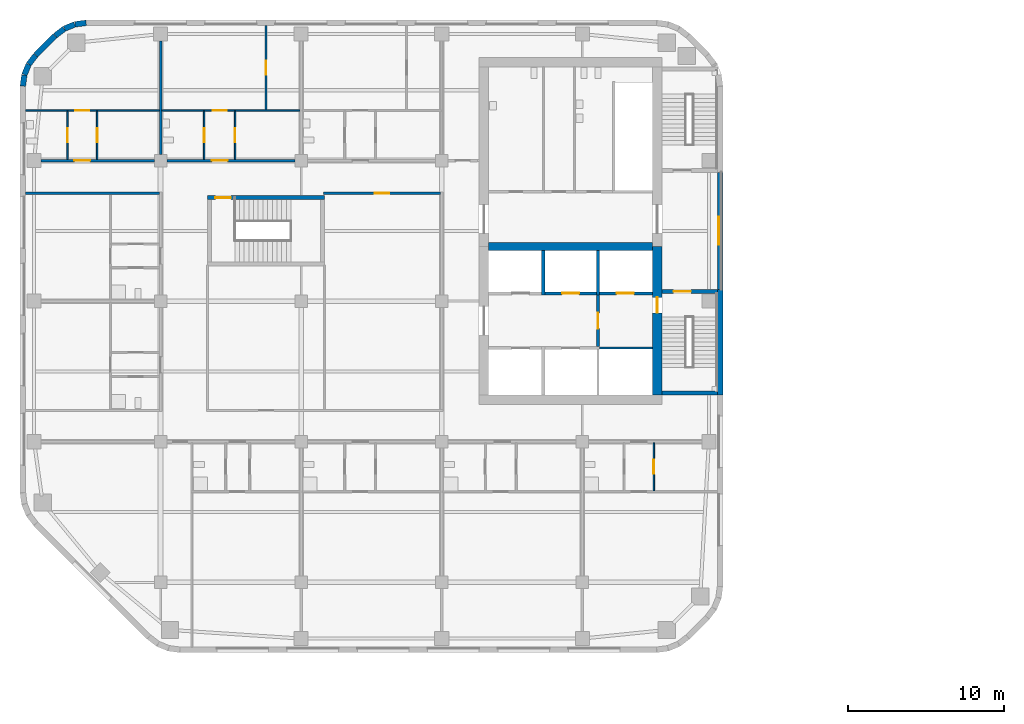
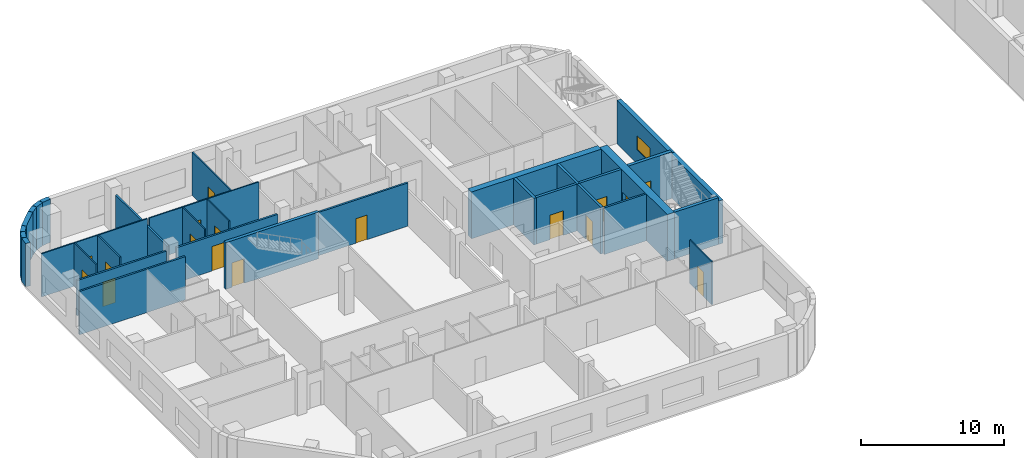
# One storey, part 7 of 16: 33 walls, 17 doors, 1 window, 18 openings.
"""IFC4 building model written with IfcOpenShell, lengths in metres."""

from ifc_helpers import new_model, si_unit, direction, frame, frame_2d, origin, place, context, subcontext, project, spatial, rectangle, extrude, material, layer, layer_set, type_object, element, fill, save


model = new_model("IFC4")

# Units and contexts
model_context = context("Model", 3, precision=1e-05, world=origin(), true_north=direction((0.0, 1.0)))
body_context = subcontext(model_context, "Body", "Model", "MODEL_VIEW")
ifc_project = project(units=[si_unit("LENGTHUNIT", "METRE"), si_unit("AREAUNIT", "SQUARE_METRE"), si_unit("VOLUMEUNIT", "CUBIC_METRE"), si_unit("PLANEANGLEUNIT", "RADIAN"), si_unit("MASSUNIT", "GRAM", prefix="KILO")], contexts=[model_context])

# Site, building, storey
site_placement = place(None, origin())
site = spatial("IfcSite", under=ifc_project, at=site_placement, CompositionType="ELEMENT")
building_placement = place(site_placement, origin())
building = spatial("IfcBuilding", under=site, at=building_placement, Name="Cinnabar Reach Civic Tower", CompositionType="ELEMENT")
storey_placement = place(building_placement, frame((0.0, 0.0, 42.0)))
storey = spatial("IfcBuildingStorey", under=building, at=storey_placement, Name="L09", CompositionType="ELEMENT", Elevation=42.0)

# Walls
ifc_material_1 = material(Name="Facing brick with insulated backing", Category="masonry")
ifc_layer_1 = layer(ifc_material_1, 0.36)
ifc_layer_set_1 = layer_set([ifc_layer_1], Name="Brick corner wall")
wall_type_1 = type_object("IfcWallType", Name="Brick corner wall", PredefinedType="STANDARD", material=ifc_layer_set_1)
for number, where, z_axis, x_axis, name in (
    (1, (-67.7686, 44.817, 0.0), (0.0, 0.0, 1.0), (-0.99144092581, -0.13055608231, 0.0), "Brick corner wall"),
    (2, (-68.4973, 44.7181, 0.0), (0.0, 0.0, 1.0), (-0.923871547278, -0.382702709855, 0.0), "Brick corner wall"),
):
    element("IfcWall", number, at=place(storey_placement, frame(where, z_axis=z_axis, x_axis=x_axis)), inside=storey, type_object=wall_type_1, Name=name, PredefinedType="STANDARD", context=body_context, shape_type="SweptSolid", body=[
        extrude(rectangle(XDim=0.7131, YDim=0.36, at=frame_2d((0.3565, 0.0))), origin(), (0.0, 0.0, 1.0), 3.7),
    ])
for number, where, z_axis, x_axis, name in (
    (3, (-69.1755, 44.434, 0.0), (0.0, 0.0, 1.0), (-0.793321924995, -0.608802368033, 0.0), "Brick corner wall"),
    (4, (-70.9998, 42.7413, 0.0), (0.0, 0.0, 1.0), (-0.608802368033, -0.793321924995, 0.0), "Brick corner wall"),
):
    element("IfcWall", number, at=place(storey_placement, frame(where, z_axis=z_axis, x_axis=x_axis)), inside=storey, type_object=wall_type_1, Name=name, PredefinedType="STANDARD", context=body_context, shape_type="SweptSolid", body=[
        extrude(rectangle(XDim=0.7132, YDim=0.36, at=frame_2d((0.3566, 0.0))), origin(), (0.0, 0.0, 1.0), 3.7),
    ])
for number, where, z_axis, x_axis, name in (
    (5, (-71.4452, 42.1561, 0.0), (0.0, 0.0, 1.0), (-0.382702709855, -0.923871547278, 0.0), "Brick corner wall"),
    (6, (-71.7239, 41.4756, 0.0), (0.0, 0.0, 1.0), (-0.13055608231, -0.99144092581, 0.0), "Brick corner wall"),
):
    element("IfcWall", number, at=place(storey_placement, frame(where, z_axis=z_axis, x_axis=x_axis)), inside=storey, type_object=wall_type_1, Name=name, PredefinedType="STANDARD", context=body_context, shape_type="SweptSolid", body=[
        extrude(rectangle(XDim=0.7131, YDim=0.36, at=frame_2d((0.3565, 0.0))), origin(), (0.0, 0.0, 1.0), 3.7),
    ])
ifc_layer_2 = layer(ifc_material_1, 0.36)
ifc_layer_set_2 = layer_set([ifc_layer_2], Name="Brick pier and spandrel wall")
wall_type_2 = type_object("IfcWallType", Name="Brick pier and spandrel wall", PredefinedType="STANDARD", material=ifc_layer_set_2)
wall_1_placement = place(storey_placement, frame((-27.18, 21.0, 0.0), z_axis=(0.0, 0.0, 1.0), x_axis=(0.0, 1.0, 0.0)))
element("IfcWall", 7, at=wall_1_placement, inside=storey, type_object=wall_type_2, Name="Brick facade wall", PredefinedType="STANDARD", context=body_context, shape_type="SweptSolid", body=[
    extrude(rectangle(XDim=6.75, YDim=0.36, at=frame_2d((3.375, 0.0))), origin(), (0.0, 0.0, 1.0), 3.7),
])

# Wall, opening, window
wall_2_placement = place(storey_placement, frame((-27.18, 27.75, 0.0), z_axis=(0.0, 0.0, 1.0), x_axis=(0.0, 1.0, 0.0)))
wall_2 = element("IfcWall", 8, at=wall_2_placement, inside=storey, type_object=wall_type_2, Name="Brick facade wall", PredefinedType="STANDARD", context=body_context, shape_type="SweptSolid", body=[
    extrude(rectangle(XDim=7.5, YDim=0.36, at=frame_2d((3.75, 0.0))), origin(), (0.0, 0.0, 1.0), 3.7),
])
opening_1_placement = place(wall_2_placement, frame((2.85, 0.0, 1.2)))
opening_1 = element("IfcOpeningElement", 9, at=opening_1_placement, cuts=wall_2, Name="Opening W2446", PredefinedType="OPENING", context=body_context, shape_type="SweptSolid", body=[
    extrude(rectangle(XDim=1.8, YDim=1.2, at=frame_2d((0.9, 0.6))), frame((0.0, 0.19, 0.0), z_axis=(0.0, -1.0, 0.0), x_axis=(1.0, 0.0, 0.0)), (0.0, 0.0, 1.0), 0.38),
])
ifc_material_2 = material(Name="Clear double glazing in aluminium frame", Category="aluminium")
window_type = type_object("IfcWindowType", Name="Deep-set window C", PartitioningType="SINGLE_PANEL", PredefinedType="WINDOW", material=ifc_material_2)
window_placement = place(opening_1_placement, origin())
window = element("IfcWindow", 10, at=window_placement, inside=storey, type_object=window_type, Name="Window east face", OverallHeight=1.2, OverallWidth=1.8, PartitioningType="SINGLE_PANEL", PredefinedType="WINDOW", context=body_context, shape_type="SweptSolid", body=[
    extrude(rectangle(XDim=1.8, YDim=1.2, at=frame_2d((0.9, 0.6))), frame((0.0, 0.13, 0.0), z_axis=(0.0, -1.0, 0.0), x_axis=(1.0, 0.0, 0.0)), (0.0, 0.0, 1.0), 0.06),
])
fill(opening_1, window)

# Walls
wall_3_placement = place(storey_placement, frame((-69.7514, 43.994, 0.0), z_axis=(0.0, 0.0, 1.0), x_axis=(-0.707106781187, -0.707106781187, 0.0)))
element("IfcWall", 11, at=wall_3_placement, inside=storey, type_object=wall_type_2, Name="Brick facade wall", PredefinedType="STANDARD", context=body_context, shape_type="SweptSolid", body=[
    extrude(rectangle(XDim=1.7573, YDim=0.36, at=frame_2d((0.8787, 0.0))), origin(), (0.0, 0.0, 1.0), 3.7),
])
ifc_material_3 = material(Name="Concrete C60", Category="concrete")
ifc_layer_3 = layer(ifc_material_3, 0.5)
ifc_layer_set_3 = layer_set([ifc_layer_3], Name="Core wall 500 EI 180")
wall_type_3 = type_object("IfcWallType", Name="Core wall 500 EI 180", PredefinedType="SOLIDWALL", material=ifc_layer_set_3)
wall_4_placement = place(storey_placement, frame((-42.0, 30.5, 0.0), z_axis=(0.0, 0.0, 1.0), x_axis=(1.0, 0.0, 0.0)))
element("IfcWall", 12, at=wall_4_placement, inside=storey, type_object=wall_type_3, Name="Core spine wall T2 L09", PredefinedType="SOLIDWALL", context=body_context, shape_type="SweptSolid", body=[
    extrude(rectangle(XDim=10.5, YDim=0.5, at=frame_2d((5.25, 0.0))), origin(), (0.0, 0.0, 1.0), 4.0),
])

# Wall, opening, door
ifc_material_4 = material(Name="Concrete C70", Category="concrete")
ifc_layer_4 = layer(ifc_material_4, 0.6)
ifc_layer_set_4 = layer_set([ifc_layer_4], Name="Core wall 600 EI 180")
wall_type_4 = type_object("IfcWallType", Name="Core wall 600 EI 180", PredefinedType="SOLIDWALL", material=ifc_layer_set_4)
wall_5_placement = place(storey_placement, frame((-31.2, 21.0, 0.0), z_axis=(0.0, 0.0, 1.0), x_axis=(0.0, 1.0, 0.0)))
wall_5 = element("IfcWall", 13, at=wall_5_placement, inside=storey, type_object=wall_type_4, Name="Core wall T2 L09 E", PredefinedType="SOLIDWALL", context=body_context, shape_type="SweptSolid", body=[
    extrude(rectangle(XDim=9.5, YDim=0.6, at=frame_2d((4.75, 0.0))), origin(), (0.0, 0.0, 1.0), 4.0),
])
opening_2_placement = place(wall_5_placement, frame((5.25, 0.0, 0.0)))
opening_2 = element("IfcOpeningElement", 14, at=opening_2_placement, cuts=wall_5, Name="Opening D6318", PredefinedType="OPENING", context=body_context, shape_type="SweptSolid", body=[
    extrude(rectangle(XDim=1.0, YDim=2.1, at=frame_2d((0.5, 1.05))), frame((0.0, 0.31, 0.0), z_axis=(0.0, -1.0, 0.0), x_axis=(1.0, 0.0, 0.0)), (0.0, 0.0, 1.0), 0.62),
])
ifc_material_5 = material(Name="Steel fire door", Category="steel")
door_type_1 = type_object("IfcDoorType", Name="T2 Firefighting lobby door 1000", OperationType="SINGLE_SWING_LEFT", PredefinedType="DOOR", material=ifc_material_5)
door_1_placement = place(opening_2_placement, frame((1.0, 0.0, 0.0), z_axis=(0.0, 0.0, 1.0), x_axis=(-1.0, 0.0, 0.0)))
door_1 = element("IfcDoor", 15, at=door_1_placement, inside=storey, type_object=door_type_1, Name="T2 Firefighting lobby door D6318", OperationType="SINGLE_SWING_LEFT", OverallHeight=2.1, OverallWidth=1.0, PredefinedType="DOOR", context=body_context, shape_type="SweptSolid", body=[
    extrude(rectangle(XDim=1.0, YDim=2.1, at=frame_2d((0.5, 1.05))), frame((0.0, 0.025, 0.0), z_axis=(0.0, -1.0, 0.0), x_axis=(1.0, 0.0, 0.0)), (0.0, 0.0, 1.0), 0.05),
])
fill(opening_2, door_1)

ifc_material_6 = material(Name="Gypsum board on steel studs, double layer", Category="steel")
ifc_layer_5 = layer(ifc_material_6, 0.15)
ifc_layer_set_5 = layer_set([ifc_layer_5], Name="Corridor wall 150 T2")
wall_type_5 = type_object("IfcWallType", Name="Corridor wall 150 T2", PredefinedType="PARTITIONING", material=ifc_layer_set_5)
wall_6_placement = place(storey_placement, frame((-62.6, 36.0, 0.0), z_axis=(0.0, 0.0, 1.0), x_axis=(1.0, 0.0, 0.0)))
wall_6 = element("IfcWall", 16, at=wall_6_placement, inside=storey, type_object=wall_type_5, Name="Corridor wall 8", PredefinedType="PARTITIONING", context=body_context, shape_type="SweptSolid", body=[
    extrude(rectangle(XDim=8.2, YDim=0.15, at=frame_2d((4.1, 0.0))), origin(), (0.0, 0.0, 1.0), 3.0),
])
opening_3_placement = place(wall_6_placement, frame((2.89, 0.0, 0.0)))
opening_3 = element("IfcOpeningElement", 17, at=opening_3_placement, cuts=wall_6, Name="Opening D6353", PredefinedType="OPENING", context=body_context, shape_type="SweptSolid", body=[
    extrude(rectangle(XDim=1.0, YDim=2.1, at=frame_2d((0.5, 1.05))), frame((0.0, 0.085, 0.0), z_axis=(0.0, -1.0, 0.0), x_axis=(1.0, 0.0, 0.0)), (0.0, 0.0, 1.0), 0.17),
])
ifc_material_7 = material(Name="Timber door leaf in steel frame", Category="steel")
door_type_2 = type_object("IfcDoorType", Name="Tenancy entrance door 1000 x 2100 T2", OperationType="SINGLE_SWING_LEFT", PredefinedType="DOOR", material=ifc_material_7)
door_2_placement = place(opening_3_placement, origin())
door_2 = element("IfcDoor", 18, at=door_2_placement, inside=storey, type_object=door_type_2, Name="Door D6353", OperationType="SINGLE_SWING_RIGHT", OverallHeight=2.1, OverallWidth=1.0, PredefinedType="DOOR", context=body_context, shape_type="SweptSolid", body=[
    extrude(rectangle(XDim=1.0, YDim=2.1, at=frame_2d((0.5, 1.05))), frame((0.0, 0.025, 0.0), z_axis=(0.0, -1.0, 0.0), x_axis=(1.0, 0.0, 0.0)), (0.0, 0.0, 1.0), 0.05),
])
fill(opening_3, door_2)

wall_7_placement = place(storey_placement, frame((-70.65, 36.0, 0.0), z_axis=(0.0, 0.0, 1.0), x_axis=(1.0, 0.0, 0.0)))
wall_7 = element("IfcWall", 19, at=wall_7_placement, inside=storey, type_object=wall_type_5, Name="Corridor wall 9", PredefinedType="PARTITIONING", context=body_context, shape_type="SweptSolid", body=[
    extrude(rectangle(XDim=7.25, YDim=0.15, at=frame_2d((3.625, 0.0))), origin(), (0.0, 0.0, 1.0), 3.0),
])
opening_4_placement = place(wall_7_placement, frame((2.1384, 0.0, 0.0)))
opening_4 = element("IfcOpeningElement", 20, at=opening_4_placement, cuts=wall_7, Name="Opening D6348", PredefinedType="OPENING", context=body_context, shape_type="SweptSolid", body=[
    extrude(rectangle(XDim=1.0, YDim=2.1, at=frame_2d((0.5, 1.05))), frame((0.0, 0.085, 0.0), z_axis=(0.0, -1.0, 0.0), x_axis=(1.0, 0.0, 0.0)), (0.0, 0.0, 1.0), 0.17),
])
door_3_placement = place(opening_4_placement, origin())
door_3 = element("IfcDoor", 21, at=door_3_placement, inside=storey, type_object=door_type_2, Name="Door D6348", OperationType="SINGLE_SWING_RIGHT", OverallHeight=2.1, OverallWidth=1.0, PredefinedType="DOOR", context=body_context, shape_type="SweptSolid", body=[
    extrude(rectangle(XDim=1.0, YDim=2.1, at=frame_2d((0.5, 1.05))), frame((0.0, 0.025, 0.0), z_axis=(0.0, -1.0, 0.0), x_axis=(1.0, 0.0, 0.0)), (0.0, 0.0, 1.0), 0.05),
])
fill(opening_4, door_3)

# Wall
wall_8_placement = place(storey_placement, frame((-71.64, 33.9, 0.0), z_axis=(0.0, 0.0, 1.0), x_axis=(1.0, 0.0, 0.0)))
element("IfcWall", 22, at=wall_8_placement, inside=storey, type_object=wall_type_5, Name="Corridor wall 17", PredefinedType="PARTITIONING", context=body_context, shape_type="SweptSolid", body=[
    extrude(rectangle(XDim=8.565, YDim=0.15, at=frame_2d((4.2825, 0.0))), origin(), (0.0, 0.0, 1.0), 3.7),
])

# Wall, opening, door
wall_9_placement = place(storey_placement, frame((-52.575, 33.9, 0.0), z_axis=(0.0, 0.0, 1.0), x_axis=(1.0, 0.0, 0.0)))
wall_9 = element("IfcWall", 23, at=wall_9_placement, inside=storey, type_object=wall_type_5, Name="Corridor wall 18", PredefinedType="PARTITIONING", context=body_context, shape_type="SweptSolid", body=[
    extrude(rectangle(XDim=7.5, YDim=0.15, at=frame_2d((3.75, 0.0))), origin(), (0.0, 0.0, 1.0), 3.7),
])
opening_5_placement = place(wall_9_placement, frame((3.3, 0.0, 0.0)))
opening_5 = element("IfcOpeningElement", 24, at=opening_5_placement, cuts=wall_9, Name="Opening D6368", PredefinedType="OPENING", context=body_context, shape_type="SweptSolid", body=[
    extrude(rectangle(XDim=0.9, YDim=2.1, at=frame_2d((0.45, 1.05))), frame((0.0, 0.085, 0.0), z_axis=(0.0, -1.0, 0.0), x_axis=(1.0, 0.0, 0.0)), (0.0, 0.0, 1.0), 0.17),
])
door_type_3 = type_object("IfcDoorType", Name="Single swing door 900 x 2100 T2", OperationType="SINGLE_SWING_LEFT", PredefinedType="DOOR", material=ifc_material_7)
door_4_placement = place(opening_5_placement, frame((0.9, 0.0, 0.0), z_axis=(0.0, 0.0, 1.0), x_axis=(-1.0, 0.0, 0.0)))
door_4 = element("IfcDoor", 25, at=door_4_placement, inside=storey, type_object=door_type_3, Name="Door D6368", OperationType="SINGLE_SWING_RIGHT", OverallHeight=2.1, OverallWidth=0.9, PredefinedType="DOOR", context=body_context, shape_type="SweptSolid", body=[
    extrude(rectangle(XDim=0.9, YDim=2.1, at=frame_2d((0.45, 1.05))), frame((0.0, 0.025, 0.0), z_axis=(0.0, -1.0, 0.0), x_axis=(1.0, 0.0, 0.0)), (0.0, 0.0, 1.0), 0.05),
])
fill(opening_5, door_4)

ifc_material_8 = material(Name="Gypsum board on steel studs", Category="steel")
ifc_layer_6 = layer(ifc_material_8, 0.1)
ifc_layer_set_6 = layer_set([ifc_layer_6], Name="Partition wall 100 T2")
wall_type_6 = type_object("IfcWallType", Name="Partition wall 100 T2", PredefinedType="PARTITIONING", material=ifc_layer_set_6)
wall_10_placement = place(storey_placement, frame((-62.925, 39.2, 0.0), z_axis=(0.0, 0.0, 1.0), x_axis=(1.0, 0.0, 0.0)))
wall_10 = element("IfcWall", 26, at=wall_10_placement, inside=storey, type_object=wall_type_6, Name="Partition wall 33", PredefinedType="PARTITIONING", context=body_context, shape_type="SweptSolid", body=[
    extrude(rectangle(XDim=8.85, YDim=0.1, at=frame_2d((4.425, 0.0))), origin(), (0.0, 0.0, 1.0), 3.7),
])
opening_6_placement = place(wall_10_placement, frame((3.265, 0.0, 0.0)))
opening_6 = element("IfcOpeningElement", 27, at=opening_6_placement, cuts=wall_10, Name="Opening D6351", PredefinedType="OPENING", context=body_context, shape_type="SweptSolid", body=[
    extrude(rectangle(XDim=0.9, YDim=2.1, at=frame_2d((0.45, 1.05))), frame((0.0, 0.06, 0.0), z_axis=(0.0, -1.0, 0.0), x_axis=(1.0, 0.0, 0.0)), (0.0, 0.0, 1.0), 0.12),
])
door_5_placement = place(opening_6_placement, frame((0.9, 0.0, 0.0), z_axis=(0.0, 0.0, 1.0), x_axis=(-1.0, 0.0, 0.0)))
door_5 = element("IfcDoor", 28, at=door_5_placement, inside=storey, type_object=door_type_3, Name="Door D6351", OperationType="SINGLE_SWING_LEFT", OverallHeight=2.1, OverallWidth=0.9, PredefinedType="DOOR", context=body_context, shape_type="SweptSolid", body=[
    extrude(rectangle(XDim=0.9, YDim=2.1, at=frame_2d((0.45, 1.05))), frame((0.0, 0.025, 0.0), z_axis=(0.0, -1.0, 0.0), x_axis=(1.0, 0.0, 0.0)), (0.0, 0.0, 1.0), 0.05),
])
fill(opening_6, door_5)

wall_11_placement = place(storey_placement, frame((-71.64, 39.2, 0.0), z_axis=(0.0, 0.0, 1.0), x_axis=(1.0, 0.0, 0.0)))
wall_11 = element("IfcWall", 29, at=wall_11_placement, inside=storey, type_object=wall_type_6, Name="Partition wall 34", PredefinedType="PARTITIONING", context=body_context, shape_type="SweptSolid", body=[
    extrude(rectangle(XDim=8.565, YDim=0.1, at=frame_2d((4.2825, 0.0))), origin(), (0.0, 0.0, 1.0), 3.7),
])
opening_7_placement = place(wall_11_placement, frame((3.1784, 0.0, 0.0)))
opening_7 = element("IfcOpeningElement", 30, at=opening_7_placement, cuts=wall_11, Name="Opening D6347", PredefinedType="OPENING", context=body_context, shape_type="SweptSolid", body=[
    extrude(rectangle(XDim=0.9, YDim=2.1, at=frame_2d((0.45, 1.05))), frame((0.0, 0.06, 0.0), z_axis=(0.0, -1.0, 0.0), x_axis=(1.0, 0.0, 0.0)), (0.0, 0.0, 1.0), 0.12),
])
door_6_placement = place(opening_7_placement, frame((0.9, 0.0, 0.0), z_axis=(0.0, 0.0, 1.0), x_axis=(-1.0, 0.0, 0.0)))
door_6 = element("IfcDoor", 31, at=door_6_placement, inside=storey, type_object=door_type_3, Name="Door D6347", OperationType="SINGLE_SWING_RIGHT", OverallHeight=2.1, OverallWidth=0.9, PredefinedType="DOOR", context=body_context, shape_type="SweptSolid", body=[
    extrude(rectangle(XDim=0.9, YDim=2.1, at=frame_2d((0.45, 1.05))), frame((0.0, 0.025, 0.0), z_axis=(0.0, -1.0, 0.0), x_axis=(1.0, 0.0, 0.0)), (0.0, 0.0, 1.0), 0.05),
])
fill(opening_7, door_6)

wall_12_placement = place(storey_placement, frame((-56.25, 39.25, 0.0), z_axis=(0.0, 0.0, 1.0), x_axis=(0.0, 1.0, 0.0)))
wall_12 = element("IfcWall", 32, at=wall_12_placement, inside=storey, type_object=wall_type_6, Name="Partition wall 42", PredefinedType="PARTITIONING", context=body_context, shape_type="SweptSolid", body=[
    extrude(rectangle(XDim=5.39, YDim=0.1, at=frame_2d((2.695, 0.0))), origin(), (0.0, 0.0, 1.0), 3.7),
])
opening_8_placement = place(wall_12_placement, frame((2.25, 0.0, 0.0)))
opening_8 = element("IfcOpeningElement", 33, at=opening_8_placement, cuts=wall_12, Name="Opening D6352", PredefinedType="OPENING", context=body_context, shape_type="SweptSolid", body=[
    extrude(rectangle(XDim=0.9, YDim=2.1, at=frame_2d((0.45, 1.05))), frame((0.0, 0.06, 0.0), z_axis=(0.0, -1.0, 0.0), x_axis=(1.0, 0.0, 0.0)), (0.0, 0.0, 1.0), 0.12),
])
door_7_placement = place(opening_8_placement, frame((0.9, 0.0, 0.0), z_axis=(0.0, 0.0, 1.0), x_axis=(-1.0, 0.0, 0.0)))
door_7 = element("IfcDoor", 34, at=door_7_placement, inside=storey, type_object=door_type_3, Name="Door D6352", OperationType="SINGLE_SWING_RIGHT", OverallHeight=2.1, OverallWidth=0.9, PredefinedType="DOOR", context=body_context, shape_type="SweptSolid", body=[
    extrude(rectangle(XDim=0.9, YDim=2.1, at=frame_2d((0.45, 1.05))), frame((0.0, 0.025, 0.0), z_axis=(0.0, -1.0, 0.0), x_axis=(1.0, 0.0, 0.0)), (0.0, 0.0, 1.0), 0.05),
])
fill(opening_8, door_7)

wall_13_placement = place(storey_placement, frame((-68.9616, 36.075, 0.0), z_axis=(0.0, 0.0, 1.0), x_axis=(0.0, 1.0, 0.0)))
wall_13 = element("IfcWall", 35, at=wall_13_placement, inside=storey, type_object=wall_type_6, Name="Partition wall 48", PredefinedType="PARTITIONING", context=body_context, shape_type="SweptSolid", body=[
    extrude(rectangle(XDim=3.075, YDim=0.1, at=frame_2d((1.5375, 0.0))), origin(), (0.0, 0.0, 1.0), 3.7),
])
opening_9_placement = place(wall_13_placement, frame((1.1, 0.0, 0.0)))
opening_9 = element("IfcOpeningElement", 36, at=opening_9_placement, cuts=wall_13, Name="Opening D6345", PredefinedType="OPENING", context=body_context, shape_type="SweptSolid", body=[
    extrude(rectangle(XDim=0.9, YDim=2.1, at=frame_2d((0.45, 1.05))), frame((0.0, 0.06, 0.0), z_axis=(0.0, -1.0, 0.0), x_axis=(1.0, 0.0, 0.0)), (0.0, 0.0, 1.0), 0.12),
])
door_8_placement = place(opening_9_placement, origin())
door_8 = element("IfcDoor", 37, at=door_8_placement, inside=storey, type_object=door_type_3, Name="Door D6345", OperationType="SINGLE_SWING_RIGHT", OverallHeight=2.1, OverallWidth=0.9, PredefinedType="DOOR", context=body_context, shape_type="SweptSolid", body=[
    extrude(rectangle(XDim=0.9, YDim=2.1, at=frame_2d((0.45, 1.05))), frame((0.0, 0.025, 0.0), z_axis=(0.0, -1.0, 0.0), x_axis=(1.0, 0.0, 0.0)), (0.0, 0.0, 1.0), 0.05),
])
fill(opening_9, door_8)

wall_14_placement = place(storey_placement, frame((-67.0608, 36.075, 0.0), z_axis=(0.0, 0.0, 1.0), x_axis=(0.0, 1.0, 0.0)))
wall_14 = element("IfcWall", 38, at=wall_14_placement, inside=storey, type_object=wall_type_6, Name="Partition wall 49", PredefinedType="PARTITIONING", context=body_context, shape_type="SweptSolid", body=[
    extrude(rectangle(XDim=3.075, YDim=0.1, at=frame_2d((1.5375, 0.0))), origin(), (0.0, 0.0, 1.0), 3.7),
])
opening_10_placement = place(wall_14_placement, frame((1.1, 0.0, 0.0)))
opening_10 = element("IfcOpeningElement", 39, at=opening_10_placement, cuts=wall_14, Name="Opening D6346", PredefinedType="OPENING", context=body_context, shape_type="SweptSolid", body=[
    extrude(rectangle(XDim=0.9, YDim=2.1, at=frame_2d((0.45, 1.05))), frame((0.0, 0.06, 0.0), z_axis=(0.0, -1.0, 0.0), x_axis=(1.0, 0.0, 0.0)), (0.0, 0.0, 1.0), 0.12),
])
door_9_placement = place(opening_10_placement, origin())
door_9 = element("IfcDoor", 40, at=door_9_placement, inside=storey, type_object=door_type_3, Name="Door D6346", OperationType="SINGLE_SWING_RIGHT", OverallHeight=2.1, OverallWidth=0.9, PredefinedType="DOOR", context=body_context, shape_type="SweptSolid", body=[
    extrude(rectangle(XDim=0.9, YDim=2.1, at=frame_2d((0.45, 1.05))), frame((0.0, 0.025, 0.0), z_axis=(0.0, -1.0, 0.0), x_axis=(1.0, 0.0, 0.0)), (0.0, 0.0, 1.0), 0.05),
])
fill(opening_10, door_9)

wall_15_placement = place(storey_placement, frame((-60.21, 36.075, 0.0), z_axis=(0.0, 0.0, 1.0), x_axis=(0.0, 1.0, 0.0)))
wall_15 = element("IfcWall", 41, at=wall_15_placement, inside=storey, type_object=wall_type_6, Name="Partition wall 50", PredefinedType="PARTITIONING", context=body_context, shape_type="SweptSolid", body=[
    extrude(rectangle(XDim=3.075, YDim=0.1, at=frame_2d((1.5375, 0.0))), origin(), (0.0, 0.0, 1.0), 3.7),
])
opening_11_placement = place(wall_15_placement, frame((1.1, 0.0, 0.0)))
opening_11 = element("IfcOpeningElement", 42, at=opening_11_placement, cuts=wall_15, Name="Opening D6349", PredefinedType="OPENING", context=body_context, shape_type="SweptSolid", body=[
    extrude(rectangle(XDim=0.9, YDim=2.1, at=frame_2d((0.45, 1.05))), frame((0.0, 0.06, 0.0), z_axis=(0.0, -1.0, 0.0), x_axis=(1.0, 0.0, 0.0)), (0.0, 0.0, 1.0), 0.12),
])
door_10_placement = place(opening_11_placement, origin())
door_10 = element("IfcDoor", 43, at=door_10_placement, inside=storey, type_object=door_type_3, Name="Door D6349", OperationType="SINGLE_SWING_LEFT", OverallHeight=2.1, OverallWidth=0.9, PredefinedType="DOOR", context=body_context, shape_type="SweptSolid", body=[
    extrude(rectangle(XDim=0.9, YDim=2.1, at=frame_2d((0.45, 1.05))), frame((0.0, 0.025, 0.0), z_axis=(0.0, -1.0, 0.0), x_axis=(1.0, 0.0, 0.0)), (0.0, 0.0, 1.0), 0.05),
])
fill(opening_11, door_10)

wall_16_placement = place(storey_placement, frame((-58.23, 36.075, 0.0), z_axis=(0.0, 0.0, 1.0), x_axis=(0.0, 1.0, 0.0)))
wall_16 = element("IfcWall", 44, at=wall_16_placement, inside=storey, type_object=wall_type_6, Name="Partition wall 51", PredefinedType="PARTITIONING", context=body_context, shape_type="SweptSolid", body=[
    extrude(rectangle(XDim=3.075, YDim=0.1, at=frame_2d((1.5375, 0.0))), origin(), (0.0, 0.0, 1.0), 3.7),
])
opening_12_placement = place(wall_16_placement, frame((1.1, 0.0, 0.0)))
opening_12 = element("IfcOpeningElement", 45, at=opening_12_placement, cuts=wall_16, Name="Opening D6350", PredefinedType="OPENING", context=body_context, shape_type="SweptSolid", body=[
    extrude(rectangle(XDim=0.9, YDim=2.1, at=frame_2d((0.45, 1.05))), frame((0.0, 0.06, 0.0), z_axis=(0.0, -1.0, 0.0), x_axis=(1.0, 0.0, 0.0)), (0.0, 0.0, 1.0), 0.12),
])
door_11_placement = place(opening_12_placement, origin())
door_11 = element("IfcDoor", 46, at=door_11_placement, inside=storey, type_object=door_type_3, Name="Door D6350", OperationType="SINGLE_SWING_RIGHT", OverallHeight=2.1, OverallWidth=0.9, PredefinedType="DOOR", context=body_context, shape_type="SweptSolid", body=[
    extrude(rectangle(XDim=0.9, YDim=2.1, at=frame_2d((0.45, 1.05))), frame((0.0, 0.025, 0.0), z_axis=(0.0, -1.0, 0.0), x_axis=(1.0, 0.0, 0.0)), (0.0, 0.0, 1.0), 0.05),
])
fill(opening_12, door_11)

wall_17_placement = place(storey_placement, frame((-31.4208, 14.85, 0.0), z_axis=(0.0, 0.0, 1.0), x_axis=(0.0, 1.0, 0.0)))
wall_17 = element("IfcWall", 47, at=wall_17_placement, inside=storey, type_object=wall_type_6, Name="Partition wall 61", PredefinedType="PARTITIONING", context=body_context, shape_type="SweptSolid", body=[
    extrude(rectangle(XDim=3.075, YDim=0.1, at=frame_2d((1.5375, 0.0))), origin(), (0.0, 0.0, 1.0), 3.7),
])
opening_13_placement = place(wall_17_placement, frame((1.1, 0.0, 0.0)))
opening_13 = element("IfcOpeningElement", 48, at=opening_13_placement, cuts=wall_17, Name="Opening D6342", PredefinedType="OPENING", context=body_context, shape_type="SweptSolid", body=[
    extrude(rectangle(XDim=0.9, YDim=2.1, at=frame_2d((0.45, 1.05))), frame((0.0, 0.06, 0.0), z_axis=(0.0, -1.0, 0.0), x_axis=(1.0, 0.0, 0.0)), (0.0, 0.0, 1.0), 0.12),
])
door_12_placement = place(opening_13_placement, origin())
door_12 = element("IfcDoor", 49, at=door_12_placement, inside=storey, type_object=door_type_3, Name="Door D6342", OperationType="SINGLE_SWING_LEFT", OverallHeight=2.1, OverallWidth=0.9, PredefinedType="DOOR", context=body_context, shape_type="SweptSolid", body=[
    extrude(rectangle(XDim=0.9, YDim=2.1, at=frame_2d((0.45, 1.05))), frame((0.0, 0.025, 0.0), z_axis=(0.0, -1.0, 0.0), x_axis=(1.0, 0.0, 0.0)), (0.0, 0.0, 1.0), 0.05),
])
fill(opening_13, door_12)

# Wall
ifc_layer_7 = layer(ifc_material_3, 0.25)
ifc_layer_set_7 = layer_set([ifc_layer_7], Name="Stair shaft wall 250 EI 120")
wall_type_7 = type_object("IfcWallType", Name="Stair shaft wall 250 EI 120", PredefinedType="SOLIDWALL", material=ifc_layer_set_7)
wall_18_placement = place(storey_placement, frame((-30.9, 21.125, 0.0), z_axis=(0.0, 0.0, 1.0), x_axis=(1.0, 0.0, 0.0)))
element("IfcWall", 50, at=wall_18_placement, inside=storey, type_object=wall_type_7, Name="Stair shaft wall T2-S1 L09", PredefinedType="SOLIDWALL", context=body_context, shape_type="SweptSolid", body=[
    extrude(rectangle(XDim=3.54, YDim=0.25, at=frame_2d((1.77, 0.0))), origin(), (0.0, 0.0, 1.0), 4.0),
])

# Wall, opening, door
wall_19_placement = place(storey_placement, frame((-27.36, 27.625, 0.0), z_axis=(0.0, 0.0, 1.0), x_axis=(-1.0, 0.0, 0.0)))
wall_19 = element("IfcWall", 51, at=wall_19_placement, inside=storey, type_object=wall_type_7, Name="Stair shaft wall T2-S1 L09", PredefinedType="SOLIDWALL", context=body_context, shape_type="SweptSolid", body=[
    extrude(rectangle(XDim=3.54, YDim=0.25, at=frame_2d((1.77, 0.0))), origin(), (0.0, 0.0, 1.0), 4.0),
])
opening_14_placement = place(wall_19_placement, frame((1.69, 0.0, 0.0)))
opening_14 = element("IfcOpeningElement", 52, at=opening_14_placement, cuts=wall_19, Name="Opening D6319", PredefinedType="OPENING", context=body_context, shape_type="SweptSolid", body=[
    extrude(rectangle(XDim=1.1, YDim=2.1, at=frame_2d((0.55, 1.05))), frame((0.0, 0.135, 0.0), z_axis=(0.0, -1.0, 0.0), x_axis=(1.0, 0.0, 0.0)), (0.0, 0.0, 1.0), 0.27),
])
door_type_4 = type_object("IfcDoorType", Name="T2 Stair door 1100", OperationType="SINGLE_SWING_LEFT", PredefinedType="DOOR", material=ifc_material_5)
door_13_placement = place(opening_14_placement, origin())
door_13 = element("IfcDoor", 53, at=door_13_placement, inside=storey, type_object=door_type_4, Name="T2 Stair door D6319", OperationType="SINGLE_SWING_RIGHT", OverallHeight=2.1, OverallWidth=1.1, PredefinedType="DOOR", context=body_context, shape_type="SweptSolid", body=[
    extrude(rectangle(XDim=1.1, YDim=2.1, at=frame_2d((0.55, 1.05))), frame((0.0, 0.025, 0.0), z_axis=(0.0, -1.0, 0.0), x_axis=(1.0, 0.0, 0.0)), (0.0, 0.0, 1.0), 0.05),
])
fill(opening_14, door_13)

wall_20_placement = place(storey_placement, frame((-52.5, 33.625, 0.0), z_axis=(0.0, 0.0, 1.0), x_axis=(-1.0, 0.0, 0.0)))
wall_20 = element("IfcWall", 54, at=wall_20_placement, inside=storey, type_object=wall_type_7, Name="Stair shaft wall T2-S3 L09", PredefinedType="SOLIDWALL", context=body_context, shape_type="SweptSolid", body=[
    extrude(rectangle(XDim=7.5, YDim=0.25, at=frame_2d((3.75, 0.0))), origin(), (0.0, 0.0, 1.0), 4.0),
])
opening_15_placement = place(wall_20_placement, frame((6.0, 0.0, 0.0)))
opening_15 = element("IfcOpeningElement", 55, at=opening_15_placement, cuts=wall_20, Name="Opening D6369", PredefinedType="OPENING", context=body_context, shape_type="SweptSolid", body=[
    extrude(rectangle(XDim=1.0, YDim=2.1, at=frame_2d((0.5, 1.05))), frame((0.0, 0.135, 0.0), z_axis=(0.0, -1.0, 0.0), x_axis=(1.0, 0.0, 0.0)), (0.0, 0.0, 1.0), 0.27),
])
door_type_5 = type_object("IfcDoorType", Name="Stair door 1000 x 2100 T2", OperationType="SINGLE_SWING_LEFT", PredefinedType="DOOR", material=ifc_material_7)
door_14_placement = place(opening_15_placement, origin())
door_14 = element("IfcDoor", 56, at=door_14_placement, inside=storey, type_object=door_type_5, Name="Door D6369", OperationType="SINGLE_SWING_RIGHT", OverallHeight=2.1, OverallWidth=1.0, PredefinedType="DOOR", context=body_context, shape_type="SweptSolid", body=[
    extrude(rectangle(XDim=1.0, YDim=2.1, at=frame_2d((0.5, 1.05))), frame((0.0, 0.025, 0.0), z_axis=(0.0, -1.0, 0.0), x_axis=(1.0, 0.0, 0.0)), (0.0, 0.0, 1.0), 0.05),
])
fill(opening_15, door_14)

# Walls
ifc_material_9 = material(Name="Concrete C40", Category="concrete")
ifc_layer_8 = layer(ifc_material_9, 0.15)
ifc_layer_set_8 = layer_set([ifc_layer_8], Name="T2 Riser wall 150")
wall_type_8 = type_object("IfcWallType", Name="T2 Riser wall 150", PredefinedType="SOLIDWALL", material=ifc_layer_set_8)
wall_21_placement = place(storey_placement, frame((-31.5, 24.0, 0.0), z_axis=(0.0, 0.0, 1.0), x_axis=(-1.0, 0.0, 0.0)))
element("IfcWall", 57, at=wall_21_placement, inside=storey, type_object=wall_type_8, Name="T2 Riser wall L09 011", PredefinedType="SOLIDWALL", context=body_context, shape_type="SweptSolid", body=[
    extrude(rectangle(XDim=3.4, YDim=0.15, at=frame_2d((1.7, 0.0))), origin(), (0.0, 0.0, 1.0), 4.0),
])
ifc_layer_9 = layer(ifc_material_9, 0.2)
ifc_layer_set_9 = layer_set([ifc_layer_9], Name="T2 Shaft wall 200")
wall_type_9 = type_object("IfcWallType", Name="T2 Shaft wall 200", PredefinedType="SOLIDWALL", material=ifc_layer_set_9)
for number, where, z_axis, x_axis, name in (
    (58, (-38.5, 27.4, 0.0), (0.0, 0.0, 1.0), (0.0, 1.0, 0.0), "T2 Shaft wall L09 004"),
    (59, (-35.0, 27.4, 0.0), (0.0, 0.0, 1.0), (0.0, 1.0, 0.0), "T2 Shaft wall L09 006"),
):
    element("IfcWall", number, at=place(storey_placement, frame(where, z_axis=z_axis, x_axis=x_axis)), inside=storey, type_object=wall_type_9, Name=name, PredefinedType="SOLIDWALL", context=body_context, shape_type="SweptSolid", body=[
        extrude(rectangle(XDim=2.85, YDim=0.2, at=frame_2d((1.425, 0.0))), origin(), (0.0, 0.0, 1.0), 4.0),
    ])

# Wall, opening, door
wall_22_placement = place(storey_placement, frame((-38.4, 27.5, 0.0), z_axis=(0.0, 0.0, 1.0), x_axis=(1.0, 0.0, 0.0)))
wall_22 = element("IfcWall", 60, at=wall_22_placement, inside=storey, type_object=wall_type_9, Name="T2 Shaft wall L09 007", PredefinedType="SOLIDWALL", context=body_context, shape_type="SweptSolid", body=[
    extrude(rectangle(XDim=3.3, YDim=0.2, at=frame_2d((1.65, 0.0))), origin(), (0.0, 0.0, 1.0), 4.0),
])
opening_16_placement = place(wall_22_placement, frame((1.1, 0.0, 0.0)))
opening_16 = element("IfcOpeningElement", 61, at=opening_16_placement, cuts=wall_22, Name="Opening D6315", PredefinedType="OPENING", context=body_context, shape_type="SweptSolid", body=[
    extrude(rectangle(XDim=1.1, YDim=2.1, at=frame_2d((0.55, 1.05))), frame((0.0, 0.11, 0.0), z_axis=(0.0, -1.0, 0.0), x_axis=(1.0, 0.0, 0.0)), (0.0, 0.0, 1.0), 0.22),
])
door_type_6 = type_object("IfcDoorType", Name="T2 Lift landing door 1100", OperationType="SLIDING_TO_LEFT", PredefinedType="DOOR", material=ifc_material_5)
door_15_placement = place(opening_16_placement, origin())
door_15 = element("IfcDoor", 62, at=door_15_placement, inside=storey, type_object=door_type_6, Name="T2 Lift landing door D6315", OperationType="SLIDING_TO_LEFT", OverallHeight=2.1, OverallWidth=1.1, PredefinedType="DOOR", context=body_context, shape_type="SweptSolid", body=[
    extrude(rectangle(XDim=1.1, YDim=2.1, at=frame_2d((0.55, 1.05))), frame((0.0, 0.025, 0.0), z_axis=(0.0, -1.0, 0.0), x_axis=(1.0, 0.0, 0.0)), (0.0, 0.0, 1.0), 0.05),
])
fill(opening_16, door_15)

wall_23_placement = place(storey_placement, frame((-34.9, 27.5, 0.0), z_axis=(0.0, 0.0, 1.0), x_axis=(1.0, 0.0, 0.0)))
wall_23 = element("IfcWall", 63, at=wall_23_placement, inside=storey, type_object=wall_type_9, Name="T2 Shaft wall L09 008", PredefinedType="SOLIDWALL", context=body_context, shape_type="SweptSolid", body=[
    extrude(rectangle(XDim=3.4, YDim=0.2, at=frame_2d((1.7, 0.0))), origin(), (0.0, 0.0, 1.0), 4.0),
])
opening_17_placement = place(wall_23_placement, frame((1.1, 0.0, 0.0)))
opening_17 = element("IfcOpeningElement", 64, at=opening_17_placement, cuts=wall_23, Name="Opening D6316", PredefinedType="OPENING", context=body_context, shape_type="SweptSolid", body=[
    extrude(rectangle(XDim=1.1, YDim=2.1, at=frame_2d((0.55, 1.05))), frame((0.0, 0.11, 0.0), z_axis=(0.0, -1.0, 0.0), x_axis=(1.0, 0.0, 0.0)), (0.0, 0.0, 1.0), 0.22),
])
door_type_7 = type_object("IfcDoorType", Name="T2 Firefighting lift landing door 1100", OperationType="SLIDING_TO_LEFT", PredefinedType="DOOR", material=ifc_material_5)
door_16_placement = place(opening_17_placement, origin())
door_16 = element("IfcDoor", 65, at=door_16_placement, inside=storey, type_object=door_type_7, Name="T2 Firefighting lift landing door D6316", OperationType="SLIDING_TO_LEFT", OverallHeight=2.1, OverallWidth=1.1, PredefinedType="DOOR", context=body_context, shape_type="SweptSolid", body=[
    extrude(rectangle(XDim=1.1, YDim=2.1, at=frame_2d((0.55, 1.05))), frame((0.0, 0.025, 0.0), z_axis=(0.0, -1.0, 0.0), x_axis=(1.0, 0.0, 0.0)), (0.0, 0.0, 1.0), 0.05),
])
fill(opening_17, door_16)

wall_24_placement = place(storey_placement, frame((-35.0, 24.1, 0.0), z_axis=(0.0, 0.0, 1.0), x_axis=(0.0, 1.0, 0.0)))
wall_24 = element("IfcWall", 66, at=wall_24_placement, inside=storey, type_object=wall_type_9, Name="T2 Shaft wall L09 009", PredefinedType="SOLIDWALL", context=body_context, shape_type="SweptSolid", body=[
    extrude(rectangle(XDim=3.3, YDim=0.2, at=frame_2d((1.65, 0.0))), origin(), (0.0, 0.0, 1.0), 4.0),
])
opening_18_placement = place(wall_24_placement, frame((1.15, 0.0, 0.0)))
opening_18 = element("IfcOpeningElement", 67, at=opening_18_placement, cuts=wall_24, Name="Opening D6317", PredefinedType="OPENING", context=body_context, shape_type="SweptSolid", body=[
    extrude(rectangle(XDim=1.0, YDim=2.1, at=frame_2d((0.5, 1.05))), frame((0.0, 0.11, 0.0), z_axis=(0.0, -1.0, 0.0), x_axis=(1.0, 0.0, 0.0)), (0.0, 0.0, 1.0), 0.22),
])
door_17_placement = place(opening_18_placement, origin())
door_17 = element("IfcDoor", 68, at=door_17_placement, inside=storey, type_object=door_type_1, Name="T2 Firefighting lobby door D6317", OperationType="SINGLE_SWING_LEFT", OverallHeight=2.1, OverallWidth=1.0, PredefinedType="DOOR", context=body_context, shape_type="SweptSolid", body=[
    extrude(rectangle(XDim=1.0, YDim=2.1, at=frame_2d((0.5, 1.05))), frame((0.0, 0.025, 0.0), z_axis=(0.0, -1.0, 0.0), x_axis=(1.0, 0.0, 0.0)), (0.0, 0.0, 1.0), 0.05),
])
fill(opening_18, door_17)

# Wall
ifc_layer_10 = layer(ifc_material_6, 0.15)
ifc_layer_set_10 = layer_set([ifc_layer_10], Name="Tenancy separating wall 150 T2")
wall_type_10 = type_object("IfcWallType", Name="Tenancy separating wall 150 T2", PredefinedType="PARTITIONING", material=ifc_layer_set_10)
wall_25_placement = place(storey_placement, frame((-63.0, 36.4, 0.0), z_axis=(0.0, 0.0, 1.0), x_axis=(0.0, 1.0, 0.0)))
element("IfcWall", 69, at=wall_25_placement, inside=storey, type_object=wall_type_10, Name="Tenancy separating wall 26", PredefinedType="PARTITIONING", context=body_context, shape_type="SweptSolid", body=[
    extrude(rectangle(XDim=7.25, YDim=0.15, at=frame_2d((3.625, 0.0))), origin(), (0.0, 0.0, 1.0), 3.008),
])

save(model, "model.ifc")
